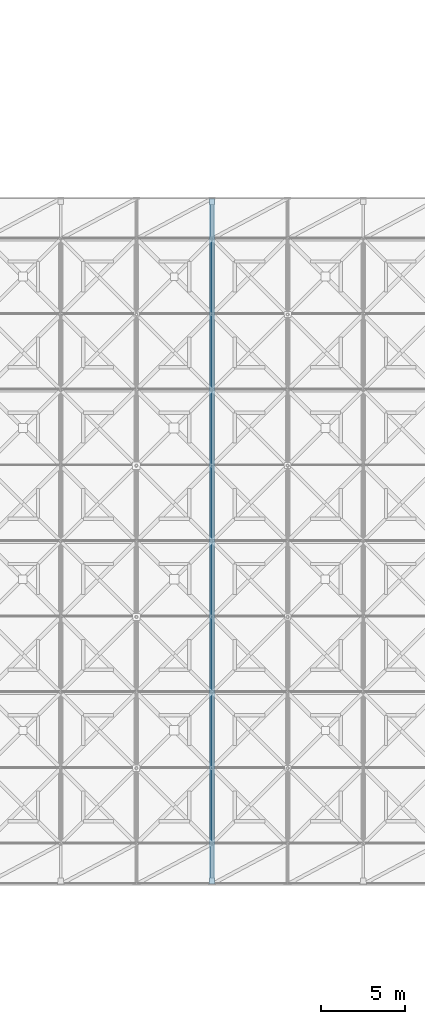
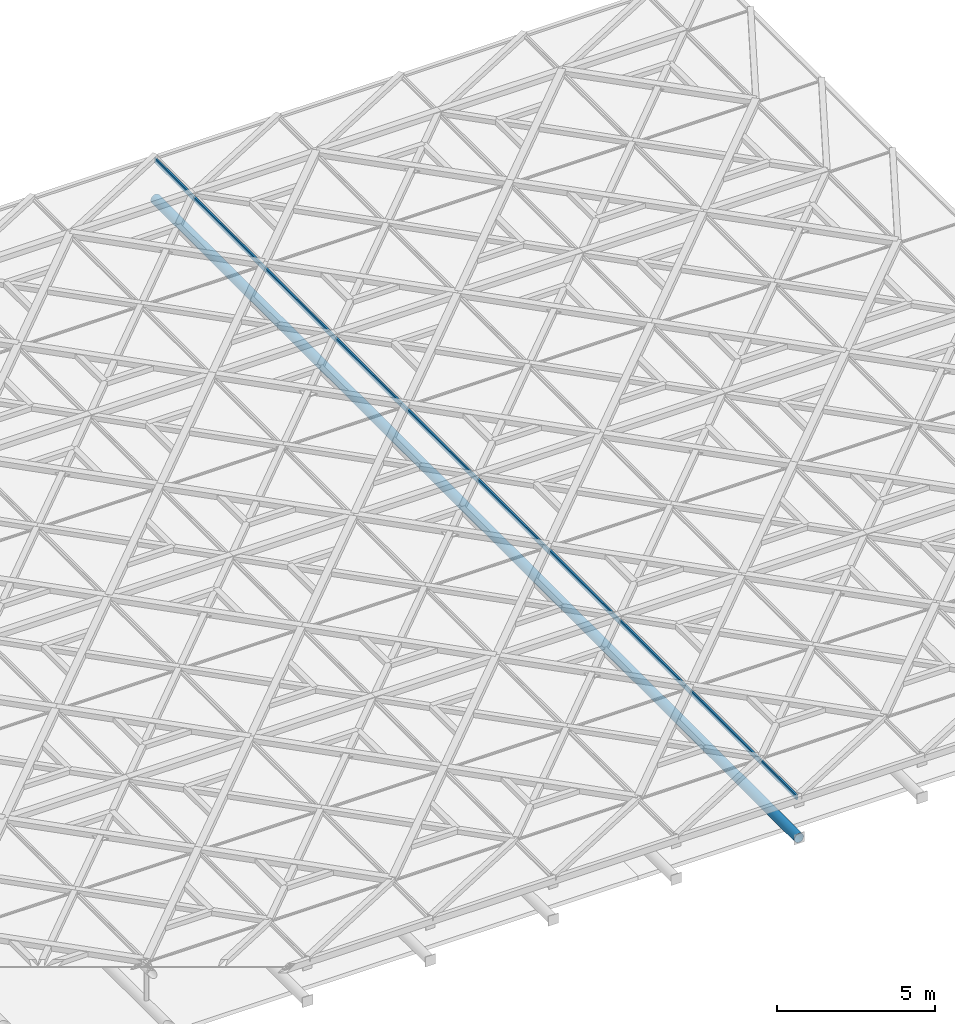
# One storey, part 37 of 80: 2 members, 1 element without a shape of its own.
"""IFC4 building model written with IfcOpenShell, lengths in metres."""

from ifc_helpers import new_model, si_unit, direction, frame, origin, origin_2d, place, context, subcontext, project, spatial, rectangle, hollow_circle, extrude, material, material_profile, profile_set, type_object, element, aggregate, save


model = new_model("IFC4")

# Units and contexts
model_context = context("Model", 3, precision=1e-05, world=origin(), true_north=direction((0.0, 1.0)))
body_context = subcontext(model_context, "Body", "Model", "MODEL_VIEW")
ifc_project = project(units=[si_unit("LENGTHUNIT", "METRE"), si_unit("AREAUNIT", "SQUARE_METRE"), si_unit("VOLUMEUNIT", "CUBIC_METRE"), si_unit("PLANEANGLEUNIT", "RADIAN"), si_unit("MASSUNIT", "GRAM", prefix="KILO"), si_unit("THERMODYNAMICTEMPERATUREUNIT", "KELVIN"), si_unit("POWERUNIT", "WATT")], contexts=[model_context])

# Site, building, storey
site_placement = place(None, origin())
site = spatial("IfcSite", under=ifc_project, at=site_placement, CompositionType="ELEMENT")
building_placement = place(site_placement, origin())
building = spatial("IfcBuilding", under=site, at=building_placement, Name="Tallowbark Science Centre", CompositionType="ELEMENT")
storey_placement = place(building_placement, frame((0.0, 0.0, 25.949951171875)))
storey = spatial("IfcBuildingStorey", under=building, at=storey_placement, Name="ROOF", CompositionType="ELEMENT", Elevation=25.949951171875)

# Curtain wall, member
ifc_material_1 = material(Name="Blue-Tinted Laminated Low-E Skylight Glass", Category="glass")
curtain_wall_type = type_object("IfcCurtainWallType", Name="CW-SKY-ROOF", PredefinedType="NOTDEFINED", material=ifc_material_1)
curtain_wall_placement = place(storey_placement, origin())
curtain_wall = element("IfcCurtainWall", 1, at=curtain_wall_placement, inside=storey, type_object=curtain_wall_type, Name="Exhibition Star-Screen Skylight Bay 7", PredefinedType="NOTDEFINED")
ifc_material_2 = material(Name="Anodised Architectural Aluminium Alloy 6063-T6", Category="aluminium")
ifc_material_profile_1 = material_profile(ifc_material_2, rectangle(XDim=0.06494140625, YDim=0.179931640625, at=origin_2d()), Name="ALU65x180")
ifc_profile_set_1 = profile_set([ifc_material_profile_1], Name="Anodised Architectural Aluminium Alloy 6063-T6")
member_type_1 = type_object("IfcMemberType", Name="CWM-SKY-MUL", PredefinedType="MULLION", material=ifc_profile_set_1)
member_1_placement = place(storey_placement, frame((85.4599609375, 2.14990234375, 0.35205078125), z_axis=(0.0, 1.0, 0.0), x_axis=(-1.0, 0.0, 0.0)))
member_1 = element("IfcMember", 2, at=member_1_placement, type_object=member_type_1, Name="Skylight Bay 7 Mullion E", PredefinedType="MULLION", context=body_context, shape_type="SweptSolid", body=[
    extrude(rectangle(XDim=0.06494140625, YDim=0.179931640625, at=origin_2d()), origin(), (0.0, 0.0, 1.0), 40.7001953125),
])
aggregate(curtain_wall, [member_1])

# Member
ifc_material_3 = material(Name="White Architectural Painted Steel Grade C350L0 (350 MPa)", Category="steel")
ifc_material_profile_2 = material_profile(ifc_material_3, hollow_circle(Radius=0.177734375, WallThickness=0.0126953125, at=origin_2d()), Name="355.6x12.7CHS")
ifc_profile_set_2 = profile_set([ifc_material_profile_2], Name="White Architectural Painted Steel Grade C350L0 (350 MPa)")
member_type_2 = type_object("IfcMemberType", Name="TR-CHD355", PredefinedType="CHORD", material=ifc_profile_set_2)
member_2_placement = place(storey_placement, frame((85.5, 2.10009765625, -1.199951171875), z_axis=(0.0, 1.0, 0.0), x_axis=(-1.0, 0.0, 0.0)))
element("IfcMember", 3, at=member_2_placement, inside=storey, type_object=member_type_2, Name="Exhibition Roof Truss Bottom Chord 7", PredefinedType="CHORD", context=body_context, shape_type="SweptSolid", body=[
    extrude(hollow_circle(Radius=0.177734375, WallThickness=0.0126953125, at=origin_2d()), origin(), (0.0, 0.0, 1.0), 40.7998046875),
])

save(model, "model.ifc")
